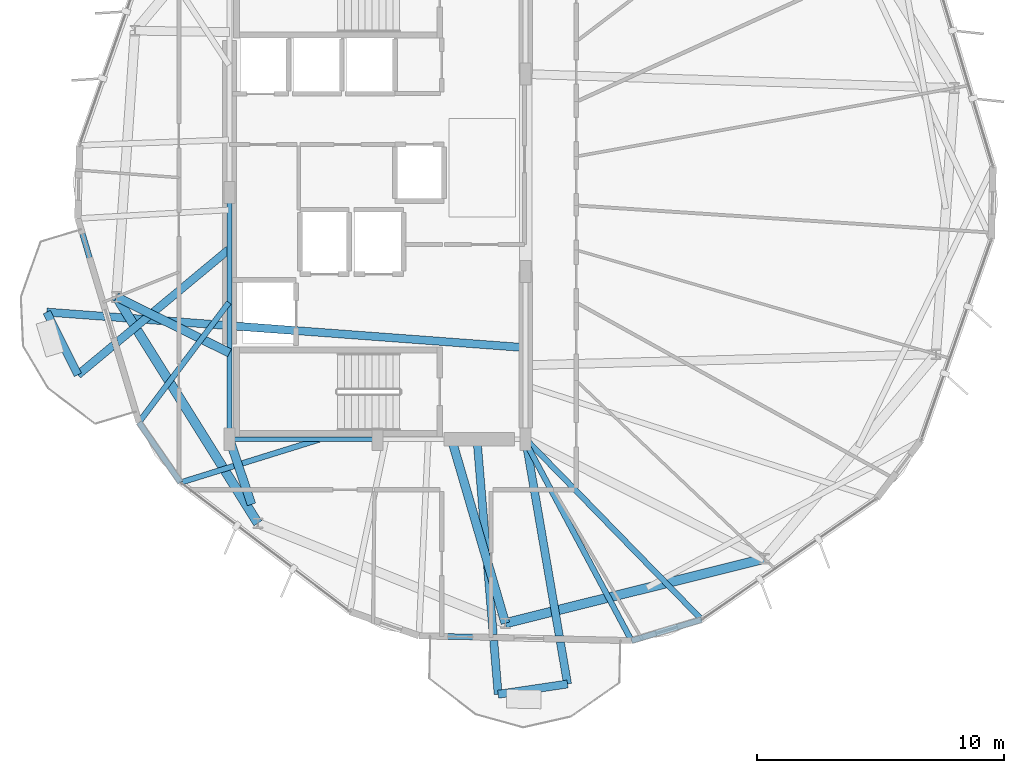
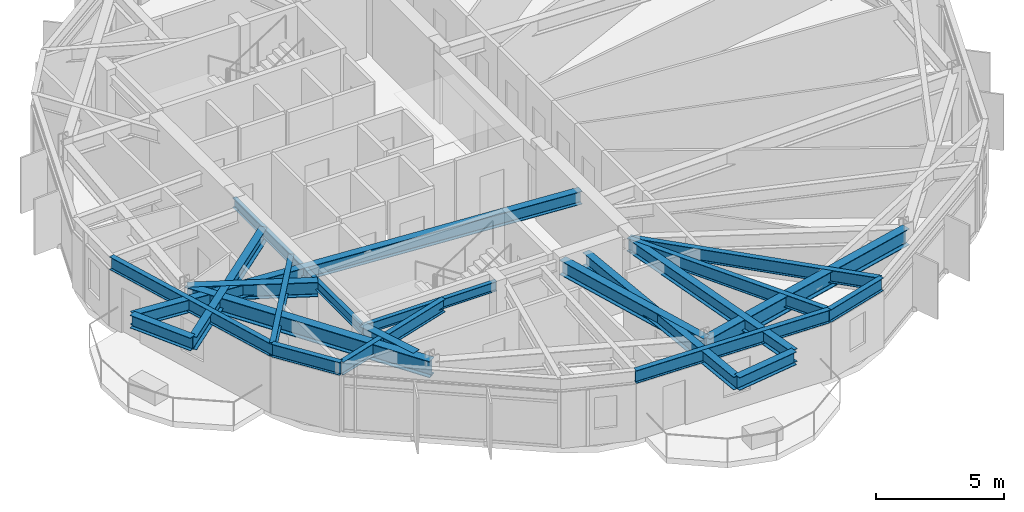
# One storey, part 3 of 22: 21 beams.
"""IFC4 building model written with IfcOpenShell, lengths in metres."""

from ifc_helpers import new_model, si_unit, direction, frame, origin, origin_2d, place, context, subcontext, project, spatial, i_section, extrude, material, material_profile, profile_set, type_object, element, save


model = new_model("IFC4")

# Units and contexts
model_context = context("Model", 3, precision=1e-05, world=origin(), true_north=direction((0.0, 1.0)))
body_context = subcontext(model_context, "Body", "Model", "MODEL_VIEW")
ifc_project = project(units=[si_unit("LENGTHUNIT", "METRE"), si_unit("AREAUNIT", "SQUARE_METRE"), si_unit("VOLUMEUNIT", "CUBIC_METRE"), si_unit("PLANEANGLEUNIT", "RADIAN"), si_unit("MASSUNIT", "GRAM", prefix="KILO")], contexts=[model_context])

# Site, building, storey
site_placement = place(None, origin())
site = spatial("IfcSite", under=ifc_project, at=site_placement, CompositionType="ELEMENT")
building_placement = place(site_placement, origin())
building = spatial("IfcBuilding", under=site, at=building_placement, Name="Soratama Intermodal Tower", CompositionType="ELEMENT")
storey_placement = place(building_placement, frame((0.0, 0.0, 160.60009765625)))
storey = spatial("IfcBuildingStorey", under=building, at=storey_placement, Name="L39", CompositionType="ELEMENT", Elevation=160.60009765625)

# Beams
ifc_material_1 = material(Name="Structural steel ASTM A992 Grade 50", Category="steel")
ifc_material_profile_1 = material_profile(ifc_material_1, i_section(OverallWidth=0.324951171875, OverallDepth=0.615966796875, WebThickness=0.013916015625, FlangeThickness=0.021484375, FilletRadius=0.013916015625, at=origin_2d()), Name="W24X117")
ifc_profile_set_1 = profile_set([ifc_material_profile_1], Name="Structural steel ASTM A992 Grade 50")
beam_type_1 = type_object("IfcBeamType", Name="BM-CANT-W24X117", PredefinedType="BEAM", material=ifc_profile_set_1)
beam_1_placement = place(storey_placement, frame((25.194091796875, 20.153076171875, 2.991943359375), z_axis=(0.445184583488, -0.895438823496, 0.0), x_axis=(0.895438823496, 0.445184583488, 0.0)))
element("IfcBeam", 1, at=beam_1_placement, inside=storey, type_object=beam_type_1, Name="BM-L39-CBHDR-2", PredefinedType="BEAM", context=body_context, shape_type="SweptSolid", body=[
    extrude(i_section(OverallWidth=0.324951171875, OverallDepth=0.615966796875, WebThickness=0.013916015625, FlangeThickness=0.021484375, FilletRadius=0.013916015625, at=origin_2d()), origin(), (0.0, 0.0, 1.0), 2.84130859375),
])
beam_2_placement = place(storey_placement, frame((43.489013671875, 4.6650390625, 2.991943359375), z_axis=(0.989125835381, 0.147071689263, 0.0), x_axis=(-0.147071689263, 0.989125835381, 0.0)))
element("IfcBeam", 2, at=beam_2_placement, inside=storey, type_object=beam_type_1, Name="BM-L39-CBHDR-3", PredefinedType="BEAM", context=body_context, shape_type="SweptSolid", body=[
    extrude(i_section(OverallWidth=0.324951171875, OverallDepth=0.615966796875, WebThickness=0.013916015625, FlangeThickness=0.021484375, FilletRadius=0.013916015625, at=origin_2d()), origin(), (0.0, 0.0, 1.0), 2.842041015625),
])
beam_3_placement = place(storey_placement, frame((44.56005859375, 18.714111328125, 2.991943359375), z_axis=(-0.997250851385, 0.074099523695, 0.0), x_axis=(-0.074099523695, -0.997250851385, 0.0)))
element("IfcBeam", 3, at=beam_3_placement, inside=storey, type_object=beam_type_1, Name="BM-L39-CANT-2-1", PredefinedType="BEAM", context=body_context, shape_type="SweptSolid", body=[
    extrude(i_section(OverallWidth=0.324951171875, OverallDepth=0.615966796875, WebThickness=0.013916015625, FlangeThickness=0.021484375, FilletRadius=0.013916015625, at=origin_2d()), origin(), (0.0, 0.0, 1.0), 19.41943359375),
])
beam_4_placement = place(storey_placement, frame((32.569091796875, 22.68701171875, 2.991943359375), z_axis=(-0.769064411081, -0.639171285031, 0.0), x_axis=(0.639171285031, -0.769064411081, 0.0)))
element("IfcBeam", 4, at=beam_4_placement, inside=storey, type_object=beam_type_1, Name="BM-L39-CANT-2-2", PredefinedType="BEAM", context=body_context, shape_type="SweptSolid", body=[
    extrude(i_section(OverallWidth=0.324951171875, OverallDepth=0.615966796875, WebThickness=0.013916015625, FlangeThickness=0.021484375, FilletRadius=0.013916015625, at=origin_2d()), origin(), (0.0, 0.0, 1.0), 7.94482421875),
])
beam_5_placement = place(storey_placement, frame((42.634033203125, 14.9599609375, 2.991943359375), z_axis=(0.082763832742, -0.996569188762, 0.0), x_axis=(0.996569188762, 0.082763832742, 0.0)))
element("IfcBeam", 5, at=beam_5_placement, inside=storey, type_object=beam_type_1, Name="BM-L39-CANT-3-1", PredefinedType="BEAM", context=body_context, shape_type="SweptSolid", body=[
    extrude(i_section(OverallWidth=0.324951171875, OverallDepth=0.615966796875, WebThickness=0.013916015625, FlangeThickness=0.021484375, FilletRadius=0.013916015625, at=origin_2d()), origin(), (0.0, 0.0, 1.0), 10.330322265625),
])
beam_6_placement = place(storey_placement, frame((44.60595703125, 14.9609375, 2.991943359375), z_axis=(0.169034808651, -0.98561008186, 0.0), x_axis=(0.98561008186, 0.169034808651, 0.0)))
element("IfcBeam", 6, at=beam_6_placement, inside=storey, type_object=beam_type_1, Name="BM-L39-CANT-3-2", PredefinedType="BEAM", context=body_context, shape_type="SweptSolid", body=[
    extrude(i_section(OverallWidth=0.324951171875, OverallDepth=0.615966796875, WebThickness=0.013916015625, FlangeThickness=0.021484375, FilletRadius=0.013916015625, at=origin_2d()), origin(), (0.0, 0.0, 1.0), 10.022216796875),
])
ifc_material_2 = material(Name="Structural steel ASTM A992 Grade 50", Category="steel")
ifc_material_profile_2 = material_profile(ifc_material_2, i_section(OverallWidth=0.19091796875, OverallDepth=0.4599609375, WebThickness=0.010009765625, FlangeThickness=0.01611328125, FilletRadius=0.010986328125, at=origin_2d()), Name="W18X55")
ifc_profile_set_2 = profile_set([ifc_material_profile_2], Name="Structural steel ASTM A992 Grade 50")
beam_type_2 = type_object("IfcBeamType", Name="BM-FLR-W18X55", PredefinedType="BEAM", material=ifc_profile_set_2)
beam_7_placement = place(storey_placement, frame((32.60009765625, 15.0, 3.06982421875), z_axis=(1.0, 0.0, 0.0), x_axis=(0.0, 1.0, 0.0)))
element("IfcBeam", 7, at=beam_7_placement, inside=storey, type_object=beam_type_2, Name="BM-L39-CRING-01", PredefinedType="BEAM", context=body_context, shape_type="SweptSolid", body=[
    extrude(i_section(OverallWidth=0.19091796875, OverallDepth=0.4599609375, WebThickness=0.010009765625, FlangeThickness=0.01611328125, FilletRadius=0.010986328125, at=origin_2d()), origin(), (0.0, 0.0, 1.0), 6.0),
])
beam_8_placement = place(storey_placement, frame((32.60009765625, 25.0, 3.06982421875), z_axis=(0.0, -1.0, 0.0), x_axis=(1.0, 0.0, 0.0)))
element("IfcBeam", 8, at=beam_8_placement, inside=storey, type_object=beam_type_2, Name="BM-L39-CRING-09", PredefinedType="BEAM", context=body_context, shape_type="SweptSolid", body=[
    extrude(i_section(OverallWidth=0.19091796875, OverallDepth=0.4599609375, WebThickness=0.010009765625, FlangeThickness=0.01611328125, FilletRadius=0.010986328125, at=origin_2d()), origin(), (0.0, 0.0, 1.0), 10.0),
])
ifc_material_3 = material(Name="Structural steel ASTM A992 Grade 50", Category="steel")
ifc_material_profile_3 = material_profile(ifc_material_3, i_section(OverallWidth=0.35498046875, OverallDepth=0.695068359375, WebThickness=0.015380859375, FlangeThickness=0.02490234375, FilletRadius=0.01611328125, at=origin_2d()), Name="W27X146")
ifc_profile_set_3 = profile_set([ifc_material_profile_3], Name="Structural steel ASTM A992 Grade 50")
beam_type_3 = type_object("IfcBeamType", Name="BM-RING-W27X146", PredefinedType="BEAM", material=ifc_profile_set_3)
beam_9_placement = place(storey_placement, frame((32.60009765625, 18.5, 2.952392578125), z_axis=(-0.89629219718, 0.443463975172, 0.0), x_axis=(-0.443463975172, -0.89629219718, 0.0)))
element("IfcBeam", 9, at=beam_9_placement, inside=storey, type_object=beam_type_3, Name="BM-L39-RAD-06", PredefinedType="BEAM", context=body_context, shape_type="SweptSolid", body=[
    extrude(i_section(OverallWidth=0.35498046875, OverallDepth=0.695068359375, WebThickness=0.015380859375, FlangeThickness=0.02490234375, FilletRadius=0.01611328125, at=origin_2d()), origin(), (0.0, 0.0, 1.0), 5.110107421875),
])
beam_10_placement = place(storey_placement, frame((32.60009765625, 15.0, 2.952392578125), z_axis=(0.32013816754, -0.947370863856, 0.0), x_axis=(0.947370863856, 0.32013816754, 0.0)))
element("IfcBeam", 10, at=beam_10_placement, inside=storey, type_object=beam_type_3, Name="BM-L39-RAD-07", PredefinedType="BEAM", context=body_context, shape_type="SweptSolid", body=[
    extrude(i_section(OverallWidth=0.35498046875, OverallDepth=0.695068359375, WebThickness=0.015380859375, FlangeThickness=0.02490234375, FilletRadius=0.01611328125, at=origin_2d()), origin(), (0.0, 0.0, 1.0), 2.788818359375),
])
beam_11_placement = place(storey_placement, frame((41.60009765625, 15.0, 2.952392578125), z_axis=(0.280473008484, -0.959861912731, 0.0), x_axis=(0.959861912731, 0.280473008484, 0.0)))
element("IfcBeam", 11, at=beam_11_placement, inside=storey, type_object=beam_type_3, Name="BM-L39-RAD-08", PredefinedType="BEAM", context=body_context, shape_type="SweptSolid", body=[
    extrude(i_section(OverallWidth=0.35498046875, OverallDepth=0.695068359375, WebThickness=0.015380859375, FlangeThickness=0.02490234375, FilletRadius=0.01611328125, at=origin_2d()), origin(), (0.0, 0.0, 1.0), 7.768798828125),
])
ifc_material_4 = material(Name="Structural steel ASTM A992 Grade 50", Category="steel")
ifc_material_profile_4 = material_profile(ifc_material_4, i_section(OverallWidth=0.382080078125, OverallDepth=0.779052734375, WebThickness=0.01806640625, FlangeThickness=0.030029296875, FilletRadius=0.01806640625, at=origin_2d()), Name="W30X191")
ifc_profile_set_4 = profile_set([ifc_material_profile_4], Name="Structural steel ASTM A992 Grade 50")
beam_type_4 = type_object("IfcBeamType", Name="BM-RING-W30X191", PredefinedType="BEAM", material=ifc_profile_set_4)
beam_12_placement = place(storey_placement, frame((28.02001953125, 20.76611328125, 2.910400390625), z_axis=(0.529891394359, -0.84806551055, 0.0), x_axis=(0.84806551055, 0.529891394359, 0.0)))
element("IfcBeam", 12, at=beam_12_placement, inside=storey, type_object=beam_type_4, Name="BM-L39-RING-06", PredefinedType="BEAM", context=body_context, shape_type="SweptSolid", body=[
    extrude(i_section(OverallWidth=0.382080078125, OverallDepth=0.779052734375, WebThickness=0.01806640625, FlangeThickness=0.030029296875, FilletRadius=0.01806640625, at=origin_2d()), origin(), (0.0, 0.0, 1.0), 10.8154296875),
])
beam_13_placement = place(storey_placement, frame((43.779052734375, 7.54296875, 2.910400390625), z_axis=(0.970310893227, 0.241861056155, 0.0), x_axis=(-0.241861056155, 0.970310893227, 0.0)))
element("IfcBeam", 13, at=beam_13_placement, inside=storey, type_object=beam_type_4, Name="BM-L39-RING-08", PredefinedType="BEAM", context=body_context, shape_type="SweptSolid", body=[
    extrude(i_section(OverallWidth=0.382080078125, OverallDepth=0.779052734375, WebThickness=0.01806640625, FlangeThickness=0.030029296875, FilletRadius=0.01806640625, at=origin_2d()), origin(), (0.0, 0.0, 1.0), 10.81591796875),
])
ifc_material_5 = material(Name="Structural steel ASTM A992 Grade 50", Category="steel")
ifc_material_profile_5 = material_profile(ifc_material_5, i_section(OverallWidth=0.22900390625, OverallDepth=0.612060546875, WebThickness=0.011962890625, FlangeThickness=0.01953125, FilletRadius=0.012939453125, at=origin_2d()), Name="W24X84")
ifc_profile_set_5 = profile_set([ifc_material_profile_5], Name="Structural steel ASTM A992 Grade 50")
beam_type_5 = type_object("IfcBeamType", Name="BM-SPN-W24X84", PredefinedType="SPANDREL", material=ifc_profile_set_5)
beam_14_placement = place(storey_placement, frame((26.4560546875, 23.944091796875, 2.993896484375), z_axis=(0.286939985362, -0.957948560624, 0.0), x_axis=(0.957948560624, 0.286939985362, 0.0)))
element("IfcBeam", 14, at=beam_14_placement, inside=storey, type_object=beam_type_5, Name="BS-L39-F05", PredefinedType="SPANDREL", context=body_context, shape_type="SweptSolid", body=[
    extrude(i_section(OverallWidth=0.22900390625, OverallDepth=0.612060546875, WebThickness=0.011962890625, FlangeThickness=0.01953125, FilletRadius=0.012939453125, at=origin_2d()), origin(), (0.0, 0.0, 1.0), 8.62158203125),
])
beam_15_placement = place(storey_placement, frame((28.929931640625, 15.68505859375, 2.993896484375), z_axis=(0.568936094303, -0.822381736543, 0.0), x_axis=(0.822381736543, 0.568936094303, 0.0)))
element("IfcBeam", 15, at=beam_15_placement, inside=storey, type_object=beam_type_5, Name="BS-L39-CRN05", PredefinedType="SPANDREL", context=body_context, shape_type="SweptSolid", body=[
    extrude(i_section(OverallWidth=0.22900390625, OverallDepth=0.612060546875, WebThickness=0.011962890625, FlangeThickness=0.01953125, FilletRadius=0.012939453125, at=origin_2d()), origin(), (0.0, 0.0, 1.0), 2.967041015625),
])
beam_16_placement = place(storey_placement, frame((40.27392578125, 7.037109375, 2.993896484375), z_axis=(0.999732989387, -0.023107356655, 0.0), x_axis=(0.023107356655, 0.999732989387, 0.0)))
element("IfcBeam", 16, at=beam_16_placement, inside=storey, type_object=beam_type_5, Name="BS-L39-F07", PredefinedType="SPANDREL", context=body_context, shape_type="SweptSolid", body=[
    extrude(i_section(OverallWidth=0.22900390625, OverallDepth=0.612060546875, WebThickness=0.011962890625, FlangeThickness=0.01953125, FilletRadius=0.012939453125, at=origin_2d()), origin(), (0.0, 0.0, 1.0), 8.621337890625),
])
beam_17_placement = place(storey_placement, frame((48.89306640625, 6.837890625, 2.993896484375), z_axis=(0.957878358082, 0.287174252187, 0.0), x_axis=(-0.287174252187, 0.957878358082, 0.0)))
element("IfcBeam", 17, at=beam_17_placement, inside=storey, type_object=beam_type_5, Name="BS-L39-CRN07", PredefinedType="SPANDREL", context=body_context, shape_type="SweptSolid", body=[
    extrude(i_section(OverallWidth=0.22900390625, OverallDepth=0.612060546875, WebThickness=0.011962890625, FlangeThickness=0.01953125, FilletRadius=0.012939453125, at=origin_2d()), origin(), (0.0, 0.0, 1.0), 2.967041015625),
])
ifc_material_6 = material(Name="Structural steel ASTM A992 Grade 50", Category="steel")
ifc_material_profile_6 = material_profile(ifc_material_6, i_section(OverallWidth=0.22900390625, OverallDepth=0.612060546875, WebThickness=0.011962890625, FlangeThickness=0.01953125, FilletRadius=0.012939453125, at=origin_2d()), Name="W24X84")
ifc_profile_set_6 = profile_set([ifc_material_profile_6], Name="Structural steel ASTM A992 Grade 50")
beam_type_6 = type_object("IfcBeamType", Name="BM-TIE-W24X84", PredefinedType="BEAM", material=ifc_profile_set_6)
beam_18_placement = place(storey_placement, frame((32.575927734375, 20.5400390625, 2.993896484375), z_axis=(-0.600501707408, -0.799623473518, 0.0), x_axis=(0.799623473518, -0.600501707408, 0.0)))
element("IfcBeam", 18, at=beam_18_placement, inside=storey, type_object=beam_type_6, Name="BM-L39-TIE1-05", PredefinedType="BEAM", context=body_context, shape_type="SweptSolid", body=[
    extrude(i_section(OverallWidth=0.22900390625, OverallDepth=0.612060546875, WebThickness=0.011962890625, FlangeThickness=0.01953125, FilletRadius=0.012939453125, at=origin_2d()), origin(), (0.0, 0.0, 1.0), 6.071533203125),
])
beam_19_placement = place(storey_placement, frame((36.22705078125, 14.988037109375, 2.993896484375), z_axis=(-0.954960210279, -0.296733882097, 0.0), x_axis=(0.296733882097, -0.954960210279, 0.0)))
element("IfcBeam", 19, at=beam_19_placement, inside=storey, type_object=beam_type_6, Name="BM-L39-TIE0-06", PredefinedType="BEAM", context=body_context, shape_type="SweptSolid", body=[
    extrude(i_section(OverallWidth=0.22900390625, OverallDepth=0.612060546875, WebThickness=0.011962890625, FlangeThickness=0.01953125, FilletRadius=0.012939453125, at=origin_2d()), origin(), (0.0, 0.0, 1.0), 5.873779296875),
])
beam_20_placement = place(storey_placement, frame((44.553955078125, 14.965087890625, 2.993896484375), z_axis=(0.470977431067, -0.882145259821, 0.0), x_axis=(0.882145259821, 0.470977431067, 0.0)))
element("IfcBeam", 20, at=beam_20_placement, inside=storey, type_object=beam_type_6, Name="BM-L39-TIE1-07", PredefinedType="BEAM", context=body_context, shape_type="SweptSolid", body=[
    extrude(i_section(OverallWidth=0.22900390625, OverallDepth=0.612060546875, WebThickness=0.011962890625, FlangeThickness=0.01953125, FilletRadius=0.012939453125, at=origin_2d()), origin(), (0.0, 0.0, 1.0), 9.212890625),
])
beam_21_placement = place(storey_placement, frame((44.6279296875, 14.98291015625, 2.993896484375), z_axis=(0.69792558681, -0.716170283714, 0.0), x_axis=(0.716170283714, 0.69792558681, 0.0)))
element("IfcBeam", 21, at=beam_21_placement, inside=storey, type_object=beam_type_6, Name="BM-L39-TIE0-08", PredefinedType="BEAM", context=body_context, shape_type="SweptSolid", body=[
    extrude(i_section(OverallWidth=0.22900390625, OverallDepth=0.612060546875, WebThickness=0.011962890625, FlangeThickness=0.01953125, FilletRadius=0.012939453125, at=origin_2d()), origin(), (0.0, 0.0, 1.0), 10.183349609375),
])

save(model, "model.ifc")
